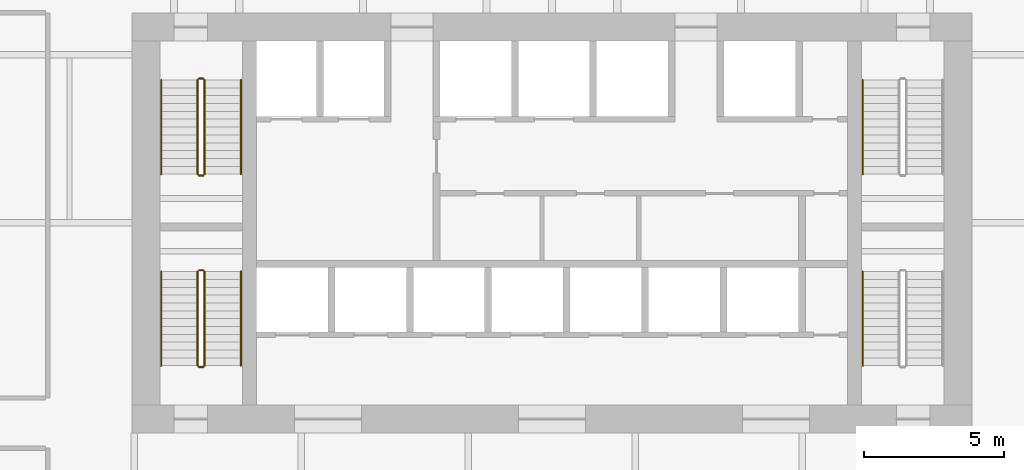
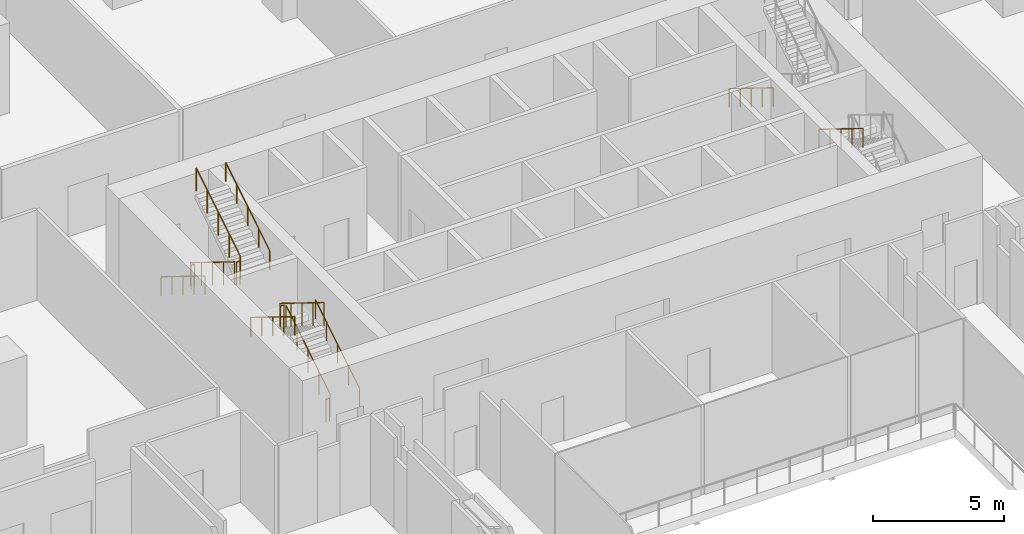
# One storey, part 29 of 32: 14 railings.
"""IFC4 building model written with IfcOpenShell, lengths in metres."""

import ifcopenshell
import ifcopenshell.guid

model = None  # the IFC model being written
_history = None  # IfcOwnerHistory: only IFC2X3 demands one
_inside = {}  # id of a spatial element -> (the spatial element, [elements in it])
_under = {}  # id of a project, library or spatial element -> (it, [spatial elements below it])
_declared = {}  # id of a project -> (the project, [libraries it declares])
_typed = {}  # id of a type object -> (the type object, [elements of that type])
_made_of = {}  # id of a material, layer set ... -> (it, [elements and type objects made of it])


def new_model(schema):
    """Start an empty IFC model of exactly this schema.

    Asked for "IFC4X3", IfcOpenShell would pick the latest addendum, in which some entities
    have other attributes; the version numbers below select the first issue.
    IFC2X3 requires an IfcOwnerHistory on every rooted entity: one is made here for all.
    """
    global model, _history
    if schema == "IFC4X3":
        model = ifcopenshell.file(schema_version=(4, 3, 0, 0))
    else:
        model = ifcopenshell.file(schema=schema)
    _inside.clear()
    _under.clear()
    _declared.clear()
    _typed.clear()
    _made_of.clear()
    _history = None
    if model.schema == "IFC2X3":
        org = make("IfcOrganization", Name="unknown")
        user = make(
            "IfcPersonAndOrganization",
            ThePerson=make("IfcPerson", FamilyName="unknown"),
            TheOrganization=org,
        )
        app = make(
            "IfcApplication",
            ApplicationDeveloper=org,
            Version="unknown",
            ApplicationFullName="unknown",
            ApplicationIdentifier="unknown",
        )
        _history = make(
            "IfcOwnerHistory",
            OwningUser=user,
            OwningApplication=app,
            ChangeAction="ADDED",
            CreationDate=0,
        )
    return model


def make(cls, **values):
    """One entity of the class cls with the attributes given. An attribute that is None is left unset."""
    return model.create_entity(
        cls, **{name: value for name, value in values.items() if value is not None}
    )


def rooted(cls, **values):
    """An entity with a GlobalId (a new one), such as an element, a storey or a relation."""
    return make(cls, GlobalId=ifcopenshell.guid.new(), OwnerHistory=_history, **values)


def si_unit(unit_type, name, prefix=None):
    """IfcSIUnit, for example si_unit("LENGTHUNIT", "METRE", prefix="MILLI")."""
    return make("IfcSIUnit", UnitType=unit_type, Prefix=prefix, Name=name)


def assignment(units):
    """IfcUnitAssignment: the units of a project."""
    return None if units is None else make("IfcUnitAssignment", Units=units)


def point(xyz):
    """IfcCartesianPoint."""
    return None if xyz is None else make("IfcCartesianPoint", Coordinates=xyz)


def direction(xyz):
    """IfcDirection."""
    return None if xyz is None else make("IfcDirection", DirectionRatios=xyz)


def frame(location, z_axis=None, x_axis=None):
    """IfcAxis2Placement3D, a coordinate frame: its origin and axes. An axis left out is left unset."""
    return make(
        "IfcAxis2Placement3D",
        Location=point(location),
        Axis=direction(z_axis),
        RefDirection=direction(x_axis),
    )


def frame_2d(location, x_axis=None):
    """IfcAxis2Placement2D, a coordinate frame in the plane: its origin and x axis."""
    return make(
        "IfcAxis2Placement2D", Location=point(location), RefDirection=direction(x_axis)
    )


def origin():
    """The frame at (0, 0, 0) with its axes left unset."""
    return frame((0.0, 0.0, 0.0))


def origin_2d():
    """The frame at (0, 0) in the plane with its x axis left unset."""
    return frame_2d((0.0, 0.0))


def place(relative_to, where):
    """IfcLocalPlacement: puts the frame where relative to a parent placement (None: the world)."""
    return make(
        "IfcLocalPlacement", PlacementRelTo=relative_to, RelativePlacement=where
    )


def context(
    kind, dimensions, precision=None, world=None, true_north=None, identifier=None
):
    """IfcGeometricRepresentationContext, for example the 3D "Model" context."""
    return make(
        "IfcGeometricRepresentationContext",
        ContextIdentifier=identifier,
        ContextType=kind,
        CoordinateSpaceDimension=dimensions,
        Precision=precision,
        WorldCoordinateSystem=world,
        TrueNorth=true_north,
    )


def subcontext(parent, identifier, kind, view, scale=None):
    """IfcGeometricRepresentationSubContext, for example "Body" below "Model"."""
    return make(
        "IfcGeometricRepresentationSubContext",
        ContextIdentifier=identifier,
        ContextType=kind,
        ParentContext=parent,
        TargetScale=scale,
        TargetView=view,
    )


def project(units=None, contexts=None):
    """IfcProject with its units and contexts."""
    return rooted(
        "IfcProject",
        Name="project",
        RepresentationContexts=contexts,
        UnitsInContext=assignment(units),
    )


def spatial(cls, under=None, at=None, **own):
    """A site, building, storey or space (cls), placed at a placement, below another one or the project."""
    s = rooted(cls, ObjectPlacement=at, **own)
    if under is not None:
        _under.setdefault(under.id(), (under, []))[1].append(s)
    return s


def profile(cls, at=None, kind="AREA", **sizes):
    """A parametric profile (cls). Its sizes go by their IFC names, for example OverallWidth=200.0."""
    return make(cls, ProfileType=kind, Position=at, **sizes)


def circle(**sizes):
    """IfcCircleProfileDef."""
    return profile("IfcCircleProfileDef", **sizes)


def extrude(swept, where, along, depth):
    """IfcExtrudedAreaSolid: the profile swept, set in the frame where, extruded along a direction by depth."""
    return make(
        "IfcExtrudedAreaSolid",
        SweptArea=swept,
        Position=where,
        ExtrudedDirection=direction(along),
        Depth=depth,
    )


def shape(context_of_items, identifier, shape_type, items):
    """IfcShapeRepresentation: the items that make up one representation, for example the "Body"."""
    return make(
        "IfcShapeRepresentation",
        ContextOfItems=context_of_items,
        RepresentationIdentifier=identifier,
        RepresentationType=shape_type,
        Items=items,
    )


def material(Name=None, Category=None):
    """IfcMaterial."""
    return make("IfcMaterial", Name=Name, Category=Category)


def made_of(thing, what):
    """Note that an element or type object is made of a material, layer set ...; save() writes the relation."""
    if what is not None:
        _made_of.setdefault(what.id(), (what, []))[1].append(thing)
    return thing


def type_object(cls, material=None, **own):
    """A type object (cls), such as IfcWallType, which elements share."""
    return made_of(rooted(cls, **own), material)


def element(
    cls,
    number,
    at=None,
    inside=None,
    cuts=None,
    type_object=None,
    material=None,
    context=None,
    identifier="Body",
    shape_type=None,
    held_by="IfcProductDefinitionShape",
    body=None,
    shapes=None,
    **own,
):
    """One element of the class cls, such as IfcWall. Its Tag is "e" and its number.

    at: its placement. inside: the storey or other place that contains it. cuts: it is an
    opening in that element (IfcRelVoidsElement). A single representation is given by context,
    identifier, shape_type and body (its items); several are given by shapes. held_by: the class
    of the entity that holds the representations. save() writes the other relations.
    """
    e = rooted(cls, Tag="e%d" % number, ObjectPlacement=at, **own)
    if body is not None:
        shapes = [shape(context, identifier, shape_type, body)]
    if shapes is not None:
        e.Representation = make(held_by, Representations=shapes)
    if inside is not None:
        _inside.setdefault(inside.id(), (inside, []))[1].append(e)
    if cuts is not None:
        rooted(
            "IfcRelVoidsElement", RelatingBuildingElement=cuts, RelatedOpeningElement=e
        )
    if type_object is not None:
        _typed.setdefault(type_object.id(), (type_object, []))[1].append(e)
    return made_of(e, material)


def aggregate(whole, parts):
    """IfcRelAggregates: a whole, such as a stair, and the parts it consists of."""
    return rooted("IfcRelAggregates", RelatingObject=whole, RelatedObjects=parts)


def save(model, path):
    """Write the relations noted so far, then the file.

    IfcRelAggregates (storeys below a building ...), IfcRelContainedInSpatialStructure (elements
    in a storey), IfcRelDefinesByType, IfcRelAssociatesMaterial and IfcRelDeclares: one each for
    every whole, place, type object, material and project.
    """
    for whole, parts in _under.values():
        aggregate(whole, parts)
    for where, things in _inside.values():
        rooted(
            "IfcRelContainedInSpatialStructure",
            RelatedElements=things,
            RelatingStructure=where,
        )
    for kind, things in _typed.values():
        rooted("IfcRelDefinesByType", RelatedObjects=things, RelatingType=kind)
    for what, things in _made_of.values():
        rooted("IfcRelAssociatesMaterial", RelatedObjects=things, RelatingMaterial=what)
    for by, libraries in _declared.values():
        rooted("IfcRelDeclares", RelatingContext=by, RelatedDefinitions=libraries)
    model.write(path)


model = new_model("IFC4")

# Units and contexts
model_context = context("Model", 3, precision=1e-05, world=origin(), true_north=direction((0.0, 1.0)))
body_context = subcontext(model_context, "Body", "Model", "MODEL_VIEW")
ifc_project = project(units=[si_unit("LENGTHUNIT", "METRE"), si_unit("AREAUNIT", "SQUARE_METRE"), si_unit("VOLUMEUNIT", "CUBIC_METRE"), si_unit("PLANEANGLEUNIT", "RADIAN"), si_unit("MASSUNIT", "GRAM", prefix="KILO")], contexts=[model_context])

# Site, building, storey
site_placement = place(None, origin())
site = spatial("IfcSite", under=ifc_project, at=site_placement, CompositionType="ELEMENT")
building_placement = place(site_placement, origin())
building = spatial("IfcBuilding", under=site, at=building_placement, Name="Isthmus Gate Tower", CompositionType="ELEMENT")
storey_placement = place(building_placement, frame((0.0, 0.0, 18.0)))
storey = spatial("IfcBuildingStorey", under=building, at=storey_placement, Name="L02", CompositionType="ELEMENT", Elevation=18.0)

# Railings
ifc_material_1 = material(Name="Stainless steel balustrade", Category="steel")
railing_type_1 = type_object("IfcRailingType", Name="STAIR GUARD 1100", PredefinedType="GUARDRAIL", material=ifc_material_1)
railing_1_placement = place(storey_placement, frame((-12.64990234375, 12.60009765625, 0.173095703125)))
element("IfcRailing", 1, at=railing_1_placement, inside=storey, type_object=railing_type_1, Name="L02 ST1 stair guard 1", PredefinedType="GUARDRAIL", context=body_context, shape_type="SweptSolid", body=[
    extrude(circle(Radius=0.02392578125, at=origin_2d()), frame((0.0, 0.0, 1.076171875), z_axis=(0.0, -0.850623216509, 0.525775754039), x_axis=(1.0, 0.0, 0.0)), (0.0, 0.0, 1.0), 3.9501953125),
    extrude(circle(Radius=0.02099609375, at=origin_2d()), origin(), (0.0, 0.0, 1.0), 1.052001953125),
    extrude(circle(Radius=0.02099609375, at=origin_2d()), frame((0.0, -0.840087890625, 0.519287109375)), (0.0, 0.0, 1.0), 1.052001953125),
    extrude(circle(Radius=0.02099609375, at=origin_2d()), frame((0.0, -1.68017578125, 1.03857421875)), (0.0, 0.0, 1.0), 1.052001953125),
    extrude(circle(Radius=0.02099609375, at=origin_2d()), frame((0.0, -2.52001953125, 1.5576171875)), (0.0, 0.0, 1.0), 1.052001953125),
    extrude(circle(Radius=0.02099609375, at=origin_2d()), frame((0.0, -3.360107421875, 2.076904296875)), (0.0, 0.0, 1.0), 1.052001953125),
])
railing_2_placement = place(storey_placement, frame((-12.60009765625, 9.18994140625, 2.25)))
element("IfcRailing", 2, at=railing_2_placement, inside=storey, type_object=railing_type_1, Name="L02 ST1 stair guard 2", PredefinedType="GUARDRAIL", context=body_context, shape_type="SweptSolid", body=[
    extrude(circle(Radius=0.02392578125, at=origin_2d()), frame((0.0, 0.0, 1.076171875), z_axis=(1.0, 0.0, 0.0), x_axis=(0.0, 1.0, 0.0)), (0.0, 0.0, 1.0), 0.150146484375),
    extrude(circle(Radius=0.02099609375, at=origin_2d()), origin(), (0.0, 0.0, 1.0), 1.052001953125),
    extrude(circle(Radius=0.02099609375, at=origin_2d()), frame((0.150146484375, 0.0, 0.0)), (0.0, 0.0, 1.0), 1.052001953125),
])
railing_3_placement = place(storey_placement, frame((-12.39990234375, 9.239990234375, 2.423095703125)))
element("IfcRailing", 3, at=railing_3_placement, inside=storey, type_object=railing_type_1, Name="L02 ST1 stair guard 3", PredefinedType="GUARDRAIL", context=body_context, shape_type="SweptSolid", body=[
    extrude(circle(Radius=0.02392578125, at=origin_2d()), frame((0.0, 0.0, 1.076171875), z_axis=(0.0, 0.850623216509, 0.525775754039), x_axis=(-1.0, 0.0, 0.0)), (0.0, 0.0, 1.0), 3.9501953125),
    extrude(circle(Radius=0.02099609375, at=origin_2d()), origin(), (0.0, 0.0, 1.0), 1.052001953125),
    extrude(circle(Radius=0.02099609375, at=origin_2d()), frame((0.0, 0.840087890625, 0.519287109375)), (0.0, 0.0, 1.0), 1.052001953125),
    extrude(circle(Radius=0.02099609375, at=origin_2d()), frame((0.0, 1.68017578125, 1.03857421875)), (0.0, 0.0, 1.0), 1.052001953125),
    extrude(circle(Radius=0.02099609375, at=origin_2d()), frame((0.0, 2.52001953125, 1.5576171875)), (0.0, 0.0, 1.0), 1.052001953125),
    extrude(circle(Radius=0.02099609375, at=origin_2d()), frame((0.0, 3.360107421875, 2.076904296875)), (0.0, 0.0, 1.0), 1.052001953125),
])
railing_4_placement = place(storey_placement, frame((-12.60009765625, 12.64990234375, 0.0)))
element("IfcRailing", 4, at=railing_4_placement, inside=storey, type_object=railing_type_1, Name="L02 ST1 stair guard 4", PredefinedType="GUARDRAIL", context=body_context, shape_type="SweptSolid", body=[
    extrude(circle(Radius=0.02392578125, at=origin_2d()), frame((0.0, 0.0, 1.076171875), z_axis=(1.0, 0.0, 0.0), x_axis=(0.0, 1.0, 0.0)), (0.0, 0.0, 1.0), 0.150146484375),
    extrude(circle(Radius=0.02099609375, at=origin_2d()), origin(), (0.0, 0.0, 1.0), 1.052001953125),
    extrude(circle(Radius=0.02099609375, at=origin_2d()), frame((0.150146484375, 0.0, 0.0)), (0.0, 0.0, 1.0), 1.052001953125),
])
railing_5_placement = place(storey_placement, frame((-12.39990234375, 2.39990234375, 0.173095703125)))
element("IfcRailing", 5, at=railing_5_placement, inside=storey, type_object=railing_type_1, Name="L02 ST7 stair guard 1", PredefinedType="GUARDRAIL", context=body_context, shape_type="SweptSolid", body=[
    extrude(circle(Radius=0.02392578125, at=origin_2d()), frame((0.0, 0.0, 1.076171875), z_axis=(0.0, 0.850623216509, 0.525775754039), x_axis=(-1.0, 0.0, 0.0)), (0.0, 0.0, 1.0), 3.9501953125),
    extrude(circle(Radius=0.02099609375, at=origin_2d()), origin(), (0.0, 0.0, 1.0), 1.052001953125),
    extrude(circle(Radius=0.02099609375, at=origin_2d()), frame((0.0, 0.840087890625, 0.519287109375)), (0.0, 0.0, 1.0), 1.052001953125),
    extrude(circle(Radius=0.02099609375, at=origin_2d()), frame((0.0, 1.68017578125, 1.03857421875)), (0.0, 0.0, 1.0), 1.052001953125),
    extrude(circle(Radius=0.02099609375, at=origin_2d()), frame((0.0, 2.52001953125, 1.5576171875)), (0.0, 0.0, 1.0), 1.052001953125),
    extrude(circle(Radius=0.02099609375, at=origin_2d()), frame((0.0, 3.360107421875, 2.076904296875)), (0.0, 0.0, 1.0), 1.052001953125),
])
railing_6_placement = place(storey_placement, frame((-12.449951171875, 5.81005859375, 2.25)))
element("IfcRailing", 6, at=railing_6_placement, inside=storey, type_object=railing_type_1, Name="L02 ST7 stair guard 2", PredefinedType="GUARDRAIL", context=body_context, shape_type="SweptSolid", body=[
    extrude(circle(Radius=0.02392578125, at=origin_2d()), frame((0.0, 0.0, 1.076171875), z_axis=(-1.0, 0.0, 0.0), x_axis=(0.0, -1.0, 0.0)), (0.0, 0.0, 1.0), 0.150146484375),
    extrude(circle(Radius=0.02099609375, at=origin_2d()), origin(), (0.0, 0.0, 1.0), 1.052001953125),
    extrude(circle(Radius=0.02099609375, at=origin_2d()), frame((-0.150146484375, 0.0, 0.0)), (0.0, 0.0, 1.0), 1.052001953125),
])
railing_7_placement = place(storey_placement, frame((-12.64990234375, 5.760009765625, 2.423095703125)))
element("IfcRailing", 7, at=railing_7_placement, inside=storey, type_object=railing_type_1, Name="L02 ST7 stair guard 3", PredefinedType="GUARDRAIL", context=body_context, shape_type="SweptSolid", body=[
    extrude(circle(Radius=0.02392578125, at=origin_2d()), frame((0.0, 0.0, 1.076171875), z_axis=(0.0, -0.850623216509, 0.525775754039), x_axis=(1.0, 0.0, 0.0)), (0.0, 0.0, 1.0), 3.9501953125),
    extrude(circle(Radius=0.02099609375, at=origin_2d()), origin(), (0.0, 0.0, 1.0), 1.052001953125),
    extrude(circle(Radius=0.02099609375, at=origin_2d()), frame((0.0, -0.840087890625, 0.519287109375)), (0.0, 0.0, 1.0), 1.052001953125),
    extrude(circle(Radius=0.02099609375, at=origin_2d()), frame((0.0, -1.68017578125, 1.03857421875)), (0.0, 0.0, 1.0), 1.052001953125),
    extrude(circle(Radius=0.02099609375, at=origin_2d()), frame((0.0, -2.52001953125, 1.5576171875)), (0.0, 0.0, 1.0), 1.052001953125),
    extrude(circle(Radius=0.02099609375, at=origin_2d()), frame((0.0, -3.360107421875, 2.076904296875)), (0.0, 0.0, 1.0), 1.052001953125),
])
railing_8_placement = place(storey_placement, frame((-12.449951171875, 2.35009765625, 0.0)))
element("IfcRailing", 8, at=railing_8_placement, inside=storey, type_object=railing_type_1, Name="L02 ST7 stair guard 4", PredefinedType="GUARDRAIL", context=body_context, shape_type="SweptSolid", body=[
    extrude(circle(Radius=0.02392578125, at=origin_2d()), frame((0.0, 0.0, 1.076171875), z_axis=(-1.0, 0.0, 0.0), x_axis=(0.0, -1.0, 0.0)), (0.0, 0.0, 1.0), 0.150146484375),
    extrude(circle(Radius=0.02099609375, at=origin_2d()), origin(), (0.0, 0.0, 1.0), 1.052001953125),
    extrude(circle(Radius=0.02099609375, at=origin_2d()), frame((-0.150146484375, 0.0, 0.0)), (0.0, 0.0, 1.0), 1.052001953125),
])
ifc_material_2 = material(Name="Stainless steel handrail", Category="steel")
railing_type_2 = type_object("IfcRailingType", Name="STAIR HANDRAIL 900", PredefinedType="HANDRAIL", material=ifc_material_2)
railing_9_placement = place(storey_placement, frame((-13.949951171875, 12.60009765625, 0.173095703125)))
element("IfcRailing", 9, at=railing_9_placement, inside=storey, type_object=railing_type_2, Name="L02 ST1 stair handrail 1", PredefinedType="HANDRAIL", context=body_context, shape_type="SweptSolid", body=[
    extrude(circle(Radius=0.02392578125, at=origin_2d()), frame((0.0, 0.0, 0.8759765625), z_axis=(0.0, -0.850623216509, 0.525775754039), x_axis=(1.0, 0.0, 0.0)), (0.0, 0.0, 1.0), 3.9501953125),
    extrude(circle(Radius=0.02099609375, at=origin_2d()), origin(), (0.0, 0.0, 1.0), 0.851806640625),
    extrude(circle(Radius=0.02099609375, at=origin_2d()), frame((0.0, -0.840087890625, 0.519287109375)), (0.0, 0.0, 1.0), 0.851806640625),
    extrude(circle(Radius=0.02099609375, at=origin_2d()), frame((0.0, -1.68017578125, 1.03857421875)), (0.0, 0.0, 1.0), 0.851806640625),
    extrude(circle(Radius=0.02099609375, at=origin_2d()), frame((0.0, -2.52001953125, 1.5576171875)), (0.0, 0.0, 1.0), 0.851806640625),
    extrude(circle(Radius=0.02099609375, at=origin_2d()), frame((0.0, -3.360107421875, 2.076904296875)), (0.0, 0.0, 1.0), 0.851806640625),
])
railing_10_placement = place(storey_placement, frame((-11.10009765625, 9.239990234375, 2.423095703125)))
element("IfcRailing", 10, at=railing_10_placement, inside=storey, type_object=railing_type_2, Name="L02 ST1 stair handrail 2", PredefinedType="HANDRAIL", context=body_context, shape_type="SweptSolid", body=[
    extrude(circle(Radius=0.02392578125, at=origin_2d()), frame((0.0, 0.0, 0.8759765625), z_axis=(0.0, 0.850623216509, 0.525775754039), x_axis=(-1.0, 0.0, 0.0)), (0.0, 0.0, 1.0), 3.9501953125),
    extrude(circle(Radius=0.02099609375, at=origin_2d()), origin(), (0.0, 0.0, 1.0), 0.851806640625),
    extrude(circle(Radius=0.02099609375, at=origin_2d()), frame((0.0, 0.840087890625, 0.519287109375)), (0.0, 0.0, 1.0), 0.851806640625),
    extrude(circle(Radius=0.02099609375, at=origin_2d()), frame((0.0, 1.68017578125, 1.03857421875)), (0.0, 0.0, 1.0), 0.851806640625),
    extrude(circle(Radius=0.02099609375, at=origin_2d()), frame((0.0, 2.52001953125, 1.5576171875)), (0.0, 0.0, 1.0), 0.851806640625),
    extrude(circle(Radius=0.02099609375, at=origin_2d()), frame((0.0, 3.360107421875, 2.076904296875)), (0.0, 0.0, 1.0), 0.851806640625),
])
railing_11_placement = place(storey_placement, frame((11.10009765625, 12.60009765625, 0.173095703125)))
element("IfcRailing", 11, at=railing_11_placement, inside=storey, type_object=railing_type_2, Name="L02 ST2 stair handrail 1", PredefinedType="HANDRAIL", context=body_context, shape_type="SweptSolid", body=[
    extrude(circle(Radius=0.02392578125, at=origin_2d()), frame((0.0, 0.0, 0.8759765625), z_axis=(0.0, -0.850623216509, 0.525775754039), x_axis=(1.0, 0.0, 0.0)), (0.0, 0.0, 1.0), 3.9501953125),
    extrude(circle(Radius=0.02099609375, at=origin_2d()), origin(), (0.0, 0.0, 1.0), 0.851806640625),
    extrude(circle(Radius=0.02099609375, at=origin_2d()), frame((0.0, -0.840087890625, 0.519287109375)), (0.0, 0.0, 1.0), 0.851806640625),
    extrude(circle(Radius=0.02099609375, at=origin_2d()), frame((0.0, -1.68017578125, 1.03857421875)), (0.0, 0.0, 1.0), 0.851806640625),
    extrude(circle(Radius=0.02099609375, at=origin_2d()), frame((0.0, -2.52001953125, 1.5576171875)), (0.0, 0.0, 1.0), 0.851806640625),
    extrude(circle(Radius=0.02099609375, at=origin_2d()), frame((0.0, -3.360107421875, 2.076904296875)), (0.0, 0.0, 1.0), 0.851806640625),
])
railing_12_placement = place(storey_placement, frame((-11.10009765625, 2.39990234375, 0.173095703125)))
element("IfcRailing", 12, at=railing_12_placement, inside=storey, type_object=railing_type_2, Name="L02 ST7 stair handrail 1", PredefinedType="HANDRAIL", context=body_context, shape_type="SweptSolid", body=[
    extrude(circle(Radius=0.02392578125, at=origin_2d()), frame((0.0, 0.0, 0.8759765625), z_axis=(0.0, 0.850623216509, 0.525775754039), x_axis=(-1.0, 0.0, 0.0)), (0.0, 0.0, 1.0), 3.9501953125),
    extrude(circle(Radius=0.02099609375, at=origin_2d()), origin(), (0.0, 0.0, 1.0), 0.851806640625),
    extrude(circle(Radius=0.02099609375, at=origin_2d()), frame((0.0, 0.840087890625, 0.519287109375)), (0.0, 0.0, 1.0), 0.851806640625),
    extrude(circle(Radius=0.02099609375, at=origin_2d()), frame((0.0, 1.68017578125, 1.03857421875)), (0.0, 0.0, 1.0), 0.851806640625),
    extrude(circle(Radius=0.02099609375, at=origin_2d()), frame((0.0, 2.52001953125, 1.5576171875)), (0.0, 0.0, 1.0), 0.851806640625),
    extrude(circle(Radius=0.02099609375, at=origin_2d()), frame((0.0, 3.360107421875, 2.076904296875)), (0.0, 0.0, 1.0), 0.851806640625),
])
for number, where, name in (
    (13, (-13.949951171875, 5.760009765625, 2.423095703125), "L02 ST7 stair handrail 2"),
    (14, (11.10009765625, 5.760009765625, 2.423095703125), "L02 ST8 stair handrail 2"),
):
    element("IfcRailing", number, at=place(storey_placement, frame(where)), inside=storey, type_object=railing_type_2, Name=name, PredefinedType="HANDRAIL", context=body_context, shape_type="SweptSolid", body=[
        extrude(circle(Radius=0.02392578125, at=origin_2d()), frame((0.0, 0.0, 0.8759765625), z_axis=(0.0, -0.850623216509, 0.525775754039), x_axis=(1.0, 0.0, 0.0)), (0.0, 0.0, 1.0), 3.9501953125),
        extrude(circle(Radius=0.02099609375, at=origin_2d()), origin(), (0.0, 0.0, 1.0), 0.851806640625),
        extrude(circle(Radius=0.02099609375, at=origin_2d()), frame((0.0, -0.840087890625, 0.519287109375)), (0.0, 0.0, 1.0), 0.851806640625),
        extrude(circle(Radius=0.02099609375, at=origin_2d()), frame((0.0, -1.68017578125, 1.03857421875)), (0.0, 0.0, 1.0), 0.851806640625),
        extrude(circle(Radius=0.02099609375, at=origin_2d()), frame((0.0, -2.52001953125, 1.5576171875)), (0.0, 0.0, 1.0), 0.851806640625),
        extrude(circle(Radius=0.02099609375, at=origin_2d()), frame((0.0, -3.360107421875, 2.076904296875)), (0.0, 0.0, 1.0), 0.851806640625),
    ])

save(model, "model.ifc")
